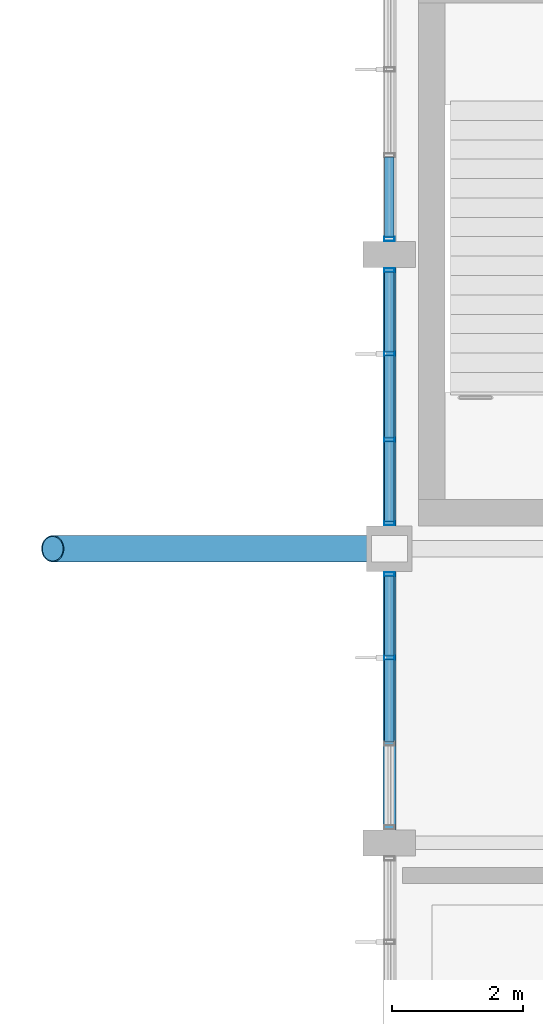
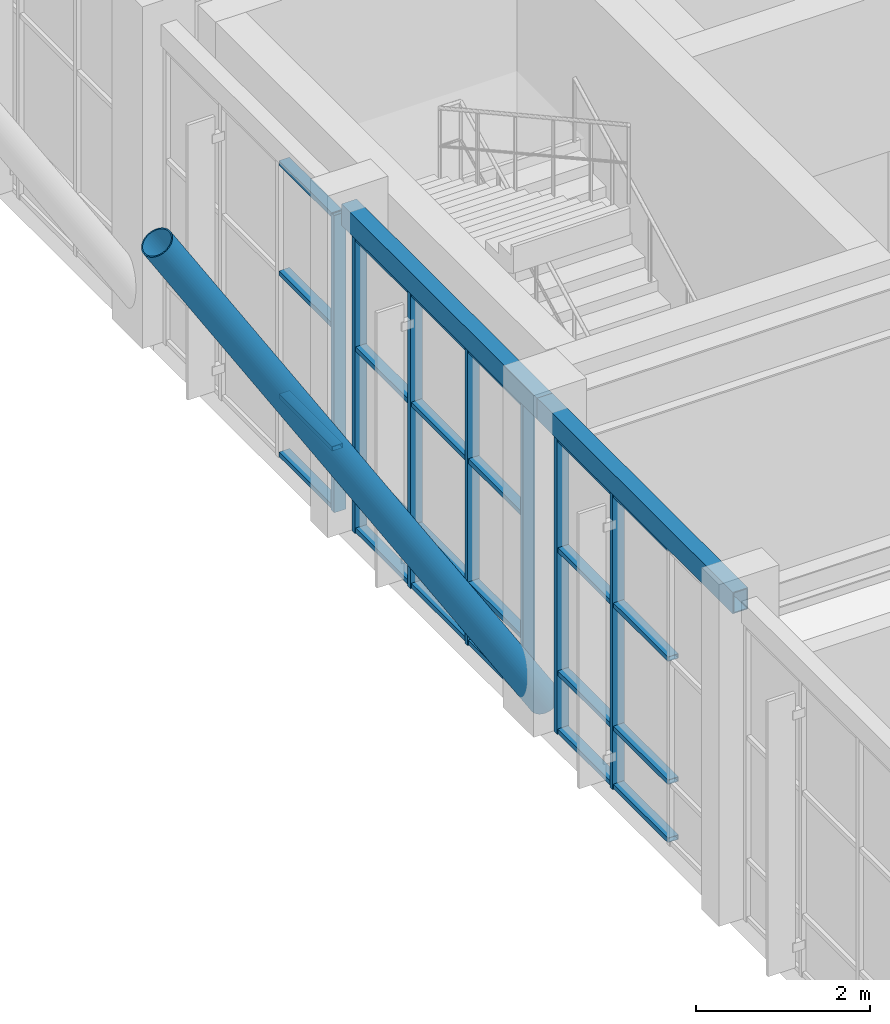
# One storey, part 23 of 104: 32 members, 2 beams, 3 elements without a shape of their own.
"""IFC4 building model written with IfcOpenShell, lengths in metres."""

from ifc_helpers import new_model, si_unit, direction, frame, origin, origin_2d, place, context, subcontext, project, spatial, hollow_rectangle, hollow_circle, extrude, material, layer, layer_set, material_profile, profile_set, type_object, element, aggregate, save


model = new_model("IFC4")

# Units and contexts
model_context = context("Model", 3, precision=1e-05, world=origin(), true_north=direction((0.0, 1.0)))
body_context = subcontext(model_context, "Body", "Model", "MODEL_VIEW")
ifc_project = project(units=[si_unit("LENGTHUNIT", "METRE"), si_unit("AREAUNIT", "SQUARE_METRE"), si_unit("VOLUMEUNIT", "CUBIC_METRE"), si_unit("PLANEANGLEUNIT", "RADIAN"), si_unit("MASSUNIT", "GRAM", prefix="KILO")], contexts=[model_context])

# Site, building, storey
site_placement = place(None, origin())
site = spatial("IfcSite", under=ifc_project, at=site_placement, CompositionType="ELEMENT")
building_placement = place(site_placement, origin())
building = spatial("IfcBuilding", under=site, at=building_placement, Name="Ventoquebrada Cableway Terminal", CompositionType="ELEMENT")
storey_placement = place(building_placement, frame((0.0, 0.0, 4.800048828125)))
storey = spatial("IfcBuildingStorey", under=building, at=storey_placement, Name="L01", CompositionType="ELEMENT", Elevation=4.800048828125)

# Curtain wall, members
ifc_material_1 = material(Name="Anodized thermally-broken aluminium", Category="aluminium")
ifc_layer = layer(ifc_material_1, 0.159912109375)
ifc_layer_set = layer_set([ifc_layer], Name="Anodized thermally-broken aluminium")
curtain_wall_type = type_object("IfcCurtainWallType", Name="CW-T17", PredefinedType="USERDEFINED", material=ifc_layer_set)
curtain_wall_1_placement = place(storey_placement, origin())
curtain_wall_1 = element("IfcCurtainWall", 1, at=curtain_wall_1_placement, inside=storey, type_object=curtain_wall_type, Name="Unitised glazed curtain wall CW-034", ObjectType="UNITISED CURTAIN WALL", PredefinedType="USERDEFINED")
ifc_material_profile_1 = material_profile(ifc_material_1, hollow_rectangle(XDim=0.06494140625, YDim=0.159912109375, WallThickness=0.00390625, at=origin_2d()), Name="CW-MUL-65X160")
ifc_profile_set_1 = profile_set([ifc_material_profile_1], Name="Anodized thermally-broken aluminium")
member_type_1 = type_object("IfcMemberType", Name="CWM-01", PredefinedType="MULLION", material=ifc_profile_set_1)
member_1_placement = place(storey_placement, frame((8.199951171875, 76.610107421875, -0.008056640625), z_axis=(0.0, 0.0, 1.0), x_axis=(0.0, -1.0, 0.0)))
member_1 = element("IfcMember", 2, at=member_1_placement, type_object=member_type_1, Name="Curtain wall mullion FML-0154", PredefinedType="MULLION", context=body_context, shape_type="SweptSolid", body=[
    extrude(hollow_rectangle(XDim=0.06494140625, YDim=0.159912109375, WallThickness=0.00390625, at=origin_2d()), origin(), (0.0, 0.0, 1.0), 4.173095703125),
])
member_2_placement = place(storey_placement, frame((8.199951171875, 75.33203125, -0.008056640625), z_axis=(0.0, 0.0, 1.0), x_axis=(0.0, -1.0, 0.0)))
member_2 = element("IfcMember", 3, at=member_2_placement, type_object=member_type_1, Name="Curtain wall mullion FML-0155", PredefinedType="MULLION", context=body_context, shape_type="SweptSolid", body=[
    extrude(hollow_rectangle(XDim=0.06494140625, YDim=0.159912109375, WallThickness=0.00390625, at=origin_2d()), origin(), (0.0, 0.0, 1.0), 4.173095703125),
])

# Curtain wall, member
curtain_wall_2_placement = place(storey_placement, origin())
curtain_wall_2 = element("IfcCurtainWall", 4, at=curtain_wall_2_placement, inside=storey, type_object=curtain_wall_type, Name="Unitised glazed curtain wall CW-036", ObjectType="UNITISED CURTAIN WALL", PredefinedType="USERDEFINED")
member_3_placement = place(storey_placement, frame((8.199951171875, 81.739990234375, -0.008056640625), z_axis=(0.0, 0.0, 1.0), x_axis=(0.0, -1.0, 0.0)))
member_3 = element("IfcMember", 5, at=member_3_placement, type_object=member_type_1, Name="Curtain wall mullion FML-0165", PredefinedType="MULLION", context=body_context, shape_type="SweptSolid", body=[
    extrude(hollow_rectangle(XDim=0.06494140625, YDim=0.159912109375, WallThickness=0.00390625, at=origin_2d()), origin(), (0.0, 0.0, 1.0), 4.173095703125),
])

# Curtain wall, members
curtain_wall_3_placement = place(storey_placement, origin())
curtain_wall_3 = element("IfcCurtainWall", 6, at=curtain_wall_3_placement, inside=storey, type_object=curtain_wall_type, Name="Unitised glazed curtain wall CW-037", ObjectType="UNITISED CURTAIN WALL", PredefinedType="USERDEFINED")
member_4_placement = place(storey_placement, frame((8.199951171875, 81.260009765625, -0.008056640625), z_axis=(0.0, 0.0, 1.0), x_axis=(0.0, -1.0, 0.0)))
member_4 = element("IfcMember", 7, at=member_4_placement, type_object=member_type_1, Name="Curtain wall mullion FML-0166", PredefinedType="MULLION", context=body_context, shape_type="SweptSolid", body=[
    extrude(hollow_rectangle(XDim=0.06494140625, YDim=0.159912109375, WallThickness=0.00390625, at=origin_2d()), origin(), (0.0, 0.0, 1.0), 4.173095703125),
])
member_5_placement = place(storey_placement, frame((8.199951171875, 79.98193359375, -0.008056640625), z_axis=(0.0, 0.0, 1.0), x_axis=(0.0, -1.0, 0.0)))
member_5 = element("IfcMember", 8, at=member_5_placement, type_object=member_type_1, Name="Curtain wall mullion FML-0167", PredefinedType="MULLION", context=body_context, shape_type="SweptSolid", body=[
    extrude(hollow_rectangle(XDim=0.06494140625, YDim=0.159912109375, WallThickness=0.00390625, at=origin_2d()), origin(), (0.0, 0.0, 1.0), 4.173095703125),
])
member_6_placement = place(storey_placement, frame((8.199951171875, 78.66796875, -0.008056640625), z_axis=(0.0, 0.0, 1.0), x_axis=(0.0, -1.0, 0.0)))
member_6 = element("IfcMember", 9, at=member_6_placement, type_object=member_type_1, Name="Curtain wall mullion FML-0168", PredefinedType="MULLION", context=body_context, shape_type="SweptSolid", body=[
    extrude(hollow_rectangle(XDim=0.06494140625, YDim=0.159912109375, WallThickness=0.00390625, at=origin_2d()), origin(), (0.0, 0.0, 1.0), 4.173095703125),
])
member_7_placement = place(storey_placement, frame((8.199951171875, 77.389892578125, -0.008056640625), z_axis=(0.0, 0.0, 1.0), x_axis=(0.0, -1.0, 0.0)))
member_7 = element("IfcMember", 10, at=member_7_placement, type_object=member_type_1, Name="Curtain wall mullion FML-0169", PredefinedType="MULLION", context=body_context, shape_type="SweptSolid", body=[
    extrude(hollow_rectangle(XDim=0.06494140625, YDim=0.159912109375, WallThickness=0.00390625, at=origin_2d()), origin(), (0.0, 0.0, 1.0), 4.173095703125),
])

# Member
ifc_material_profile_2 = material_profile(ifc_material_1, hollow_rectangle(XDim=0.06494140625, YDim=0.139892578125, WallThickness=0.00390625, at=origin_2d()), Name="CW-TRN-65X140")
ifc_profile_set_2 = profile_set([ifc_material_profile_2], Name="Anodized thermally-broken aluminium")
member_type_2 = type_object("IfcMemberType", Name="CWT-01", PredefinedType="USERDEFINED", material=ifc_profile_set_2)
member_8_placement = place(storey_placement, frame((8.199951171875, 76.58203125, 0.034912109375), z_axis=(0.0, -1.0, 0.0), x_axis=(0.0, 0.0, 1.0)))
member_8 = element("IfcMember", 11, at=member_8_placement, type_object=member_type_2, Name="Curtain wall transom FTR-0459", ObjectType="TRANSOM", PredefinedType="USERDEFINED", context=body_context, shape_type="SweptSolid", body=[
    extrude(hollow_rectangle(XDim=0.06494140625, YDim=0.139892578125, WallThickness=0.00390625, at=origin_2d()), origin(), (0.0, 0.0, 1.0), 1.22314453125),
])

member_9_placement = place(storey_placement, frame((8.199951171875, 76.58203125, 0.849853515625), z_axis=(0.0, -1.0, 0.0), x_axis=(0.0, 0.0, 1.0)))
member_9 = element("IfcMember", 12, at=member_9_placement, type_object=member_type_2, Name="Curtain wall transom FTR-0460", ObjectType="TRANSOM", PredefinedType="USERDEFINED", context=body_context, shape_type="SweptSolid", body=[
    extrude(hollow_rectangle(XDim=0.06494140625, YDim=0.139892578125, WallThickness=0.00390625, at=origin_2d()), origin(), (0.0, 0.0, 1.0), 1.22314453125),
])

member_10_placement = place(storey_placement, frame((8.199951171875, 76.58203125, 2.578857421875), z_axis=(0.0, -1.0, 0.0), x_axis=(0.0, 0.0, 1.0)))
member_10 = element("IfcMember", 13, at=member_10_placement, type_object=member_type_2, Name="Curtain wall transom FTR-0461", ObjectType="TRANSOM", PredefinedType="USERDEFINED", context=body_context, shape_type="SweptSolid", body=[
    extrude(hollow_rectangle(XDim=0.06494140625, YDim=0.139892578125, WallThickness=0.00390625, at=origin_2d()), origin(), (0.0, 0.0, 1.0), 1.22314453125),
])

member_11_placement = place(storey_placement, frame((8.199951171875, 76.58203125, 4.125), z_axis=(0.0, -1.0, 0.0), x_axis=(0.0, 0.0, 1.0)))
member_11 = element("IfcMember", 14, at=member_11_placement, type_object=member_type_2, Name="Curtain wall transom FTR-0462", ObjectType="TRANSOM", PredefinedType="USERDEFINED", context=body_context, shape_type="SweptSolid", body=[
    extrude(hollow_rectangle(XDim=0.06494140625, YDim=0.139892578125, WallThickness=0.00390625, at=origin_2d()), origin(), (0.0, 0.0, 1.0), 1.22314453125),
])

member_12_placement = place(storey_placement, frame((8.199951171875, 75.303955078125, 0.034912109375), z_axis=(0.0, -1.0, 0.0), x_axis=(0.0, 0.0, 1.0)))
member_12 = element("IfcMember", 15, at=member_12_placement, type_object=member_type_2, Name="Curtain wall transom FTR-0463", ObjectType="TRANSOM", PredefinedType="USERDEFINED", context=body_context, shape_type="SweptSolid", body=[
    extrude(hollow_rectangle(XDim=0.06494140625, YDim=0.139892578125, WallThickness=0.00390625, at=origin_2d()), origin(), (0.0, 0.0, 1.0), 1.258056640625),
])

member_13_placement = place(storey_placement, frame((8.199951171875, 75.303955078125, 0.849853515625), z_axis=(0.0, -1.0, 0.0), x_axis=(0.0, 0.0, 1.0)))
member_13 = element("IfcMember", 16, at=member_13_placement, type_object=member_type_2, Name="Curtain wall transom FTR-0464", ObjectType="TRANSOM", PredefinedType="USERDEFINED", context=body_context, shape_type="SweptSolid", body=[
    extrude(hollow_rectangle(XDim=0.06494140625, YDim=0.139892578125, WallThickness=0.00390625, at=origin_2d()), origin(), (0.0, 0.0, 1.0), 1.258056640625),
])

member_14_placement = place(storey_placement, frame((8.199951171875, 75.303955078125, 2.578857421875), z_axis=(0.0, -1.0, 0.0), x_axis=(0.0, 0.0, 1.0)))
member_14 = element("IfcMember", 17, at=member_14_placement, type_object=member_type_2, Name="Curtain wall transom FTR-0465", ObjectType="TRANSOM", PredefinedType="USERDEFINED", context=body_context, shape_type="SweptSolid", body=[
    extrude(hollow_rectangle(XDim=0.06494140625, YDim=0.139892578125, WallThickness=0.00390625, at=origin_2d()), origin(), (0.0, 0.0, 1.0), 1.258056640625),
])

member_15_placement = place(storey_placement, frame((8.199951171875, 75.303955078125, 4.125), z_axis=(0.0, -1.0, 0.0), x_axis=(0.0, 0.0, 1.0)))
member_15 = element("IfcMember", 18, at=member_15_placement, type_object=member_type_2, Name="Curtain wall transom FTR-0466", ObjectType="TRANSOM", PredefinedType="USERDEFINED", context=body_context, shape_type="SweptSolid", body=[
    extrude(hollow_rectangle(XDim=0.06494140625, YDim=0.139892578125, WallThickness=0.00390625, at=origin_2d()), origin(), (0.0, 0.0, 1.0), 1.258056640625),
])

aggregate(curtain_wall_1, [member_1, member_2, member_8, member_9, member_10, member_11, member_12, member_13, member_14, member_15])

member_16_placement = place(storey_placement, frame((8.199951171875, 82.990966796875, 0.034912109375), z_axis=(0.0, -1.0, 0.0), x_axis=(0.0, 0.0, 1.0)))
member_16 = element("IfcMember", 19, at=member_16_placement, type_object=member_type_2, Name="Curtain wall transom FTR-0491", ObjectType="TRANSOM", PredefinedType="USERDEFINED", context=body_context, shape_type="SweptSolid", body=[
    extrude(hollow_rectangle(XDim=0.06494140625, YDim=0.139892578125, WallThickness=0.00390625, at=origin_2d()), origin(), (0.0, 0.0, 1.0), 1.223876953125),
])

member_17_placement = place(storey_placement, frame((8.199951171875, 82.990966796875, 0.849853515625), z_axis=(0.0, -1.0, 0.0), x_axis=(0.0, 0.0, 1.0)))
member_17 = element("IfcMember", 20, at=member_17_placement, type_object=member_type_2, Name="Curtain wall transom FTR-0492", ObjectType="TRANSOM", PredefinedType="USERDEFINED", context=body_context, shape_type="SweptSolid", body=[
    extrude(hollow_rectangle(XDim=0.06494140625, YDim=0.139892578125, WallThickness=0.00390625, at=origin_2d()), origin(), (0.0, 0.0, 1.0), 1.223876953125),
])

member_18_placement = place(storey_placement, frame((8.199951171875, 82.990966796875, 2.578857421875), z_axis=(0.0, -1.0, 0.0), x_axis=(0.0, 0.0, 1.0)))
member_18 = element("IfcMember", 21, at=member_18_placement, type_object=member_type_2, Name="Curtain wall transom FTR-0493", ObjectType="TRANSOM", PredefinedType="USERDEFINED", context=body_context, shape_type="SweptSolid", body=[
    extrude(hollow_rectangle(XDim=0.06494140625, YDim=0.139892578125, WallThickness=0.00390625, at=origin_2d()), origin(), (0.0, 0.0, 1.0), 1.223876953125),
])

member_19_placement = place(storey_placement, frame((8.199951171875, 82.990966796875, 4.125), z_axis=(0.0, -1.0, 0.0), x_axis=(0.0, 0.0, 1.0)))
member_19 = element("IfcMember", 22, at=member_19_placement, type_object=member_type_2, Name="Curtain wall transom FTR-0494", ObjectType="TRANSOM", PredefinedType="USERDEFINED", context=body_context, shape_type="SweptSolid", body=[
    extrude(hollow_rectangle(XDim=0.06494140625, YDim=0.139892578125, WallThickness=0.00390625, at=origin_2d()), origin(), (0.0, 0.0, 1.0), 1.223876953125),
])

aggregate(curtain_wall_2, [member_3, member_16, member_17, member_18, member_19])

member_20_placement = place(storey_placement, frame((8.199951171875, 81.23291015625, 0.034912109375), z_axis=(0.0, -1.0, 0.0), x_axis=(0.0, 0.0, 1.0)))
member_20 = element("IfcMember", 23, at=member_20_placement, type_object=member_type_2, Name="Curtain wall transom FTR-0495", ObjectType="TRANSOM", PredefinedType="USERDEFINED", context=body_context, shape_type="SweptSolid", body=[
    extrude(hollow_rectangle(XDim=0.06494140625, YDim=0.139892578125, WallThickness=0.00390625, at=origin_2d()), origin(), (0.0, 0.0, 1.0), 1.223876953125),
])

member_21_placement = place(storey_placement, frame((8.199951171875, 81.23291015625, 0.849853515625), z_axis=(0.0, -1.0, 0.0), x_axis=(0.0, 0.0, 1.0)))
member_21 = element("IfcMember", 24, at=member_21_placement, type_object=member_type_2, Name="Curtain wall transom FTR-0496", ObjectType="TRANSOM", PredefinedType="USERDEFINED", context=body_context, shape_type="SweptSolid", body=[
    extrude(hollow_rectangle(XDim=0.06494140625, YDim=0.139892578125, WallThickness=0.00390625, at=origin_2d()), origin(), (0.0, 0.0, 1.0), 1.223876953125),
])

member_22_placement = place(storey_placement, frame((8.199951171875, 81.23291015625, 2.578857421875), z_axis=(0.0, -1.0, 0.0), x_axis=(0.0, 0.0, 1.0)))
member_22 = element("IfcMember", 25, at=member_22_placement, type_object=member_type_2, Name="Curtain wall transom FTR-0497", ObjectType="TRANSOM", PredefinedType="USERDEFINED", context=body_context, shape_type="SweptSolid", body=[
    extrude(hollow_rectangle(XDim=0.06494140625, YDim=0.139892578125, WallThickness=0.00390625, at=origin_2d()), origin(), (0.0, 0.0, 1.0), 1.223876953125),
])

member_23_placement = place(storey_placement, frame((8.199951171875, 81.23291015625, 4.125), z_axis=(0.0, -1.0, 0.0), x_axis=(0.0, 0.0, 1.0)))
member_23 = element("IfcMember", 26, at=member_23_placement, type_object=member_type_2, Name="Curtain wall transom FTR-0498", ObjectType="TRANSOM", PredefinedType="USERDEFINED", context=body_context, shape_type="SweptSolid", body=[
    extrude(hollow_rectangle(XDim=0.06494140625, YDim=0.139892578125, WallThickness=0.00390625, at=origin_2d()), origin(), (0.0, 0.0, 1.0), 1.223876953125),
])

member_24_placement = place(storey_placement, frame((8.199951171875, 79.9541015625, 0.034912109375), z_axis=(0.0, -1.0, 0.0), x_axis=(0.0, 0.0, 1.0)))
member_24 = element("IfcMember", 27, at=member_24_placement, type_object=member_type_2, Name="Curtain wall transom FTR-0499", ObjectType="TRANSOM", PredefinedType="USERDEFINED", context=body_context, shape_type="SweptSolid", body=[
    extrude(hollow_rectangle(XDim=0.06494140625, YDim=0.139892578125, WallThickness=0.00390625, at=origin_2d()), origin(), (0.0, 0.0, 1.0), 1.258056640625),
])

member_25_placement = place(storey_placement, frame((8.199951171875, 79.9541015625, 0.849853515625), z_axis=(0.0, -1.0, 0.0), x_axis=(0.0, 0.0, 1.0)))
member_25 = element("IfcMember", 28, at=member_25_placement, type_object=member_type_2, Name="Curtain wall transom FTR-0500", ObjectType="TRANSOM", PredefinedType="USERDEFINED", context=body_context, shape_type="SweptSolid", body=[
    extrude(hollow_rectangle(XDim=0.06494140625, YDim=0.139892578125, WallThickness=0.00390625, at=origin_2d()), origin(), (0.0, 0.0, 1.0), 1.258056640625),
])

member_26_placement = place(storey_placement, frame((8.199951171875, 79.9541015625, 2.578857421875), z_axis=(0.0, -1.0, 0.0), x_axis=(0.0, 0.0, 1.0)))
member_26 = element("IfcMember", 29, at=member_26_placement, type_object=member_type_2, Name="Curtain wall transom FTR-0501", ObjectType="TRANSOM", PredefinedType="USERDEFINED", context=body_context, shape_type="SweptSolid", body=[
    extrude(hollow_rectangle(XDim=0.06494140625, YDim=0.139892578125, WallThickness=0.00390625, at=origin_2d()), origin(), (0.0, 0.0, 1.0), 1.258056640625),
])

member_27_placement = place(storey_placement, frame((8.199951171875, 79.9541015625, 4.125), z_axis=(0.0, -1.0, 0.0), x_axis=(0.0, 0.0, 1.0)))
member_27 = element("IfcMember", 30, at=member_27_placement, type_object=member_type_2, Name="Curtain wall transom FTR-0502", ObjectType="TRANSOM", PredefinedType="USERDEFINED", context=body_context, shape_type="SweptSolid", body=[
    extrude(hollow_rectangle(XDim=0.06494140625, YDim=0.139892578125, WallThickness=0.00390625, at=origin_2d()), origin(), (0.0, 0.0, 1.0), 1.258056640625),
])

member_28_placement = place(storey_placement, frame((8.199951171875, 78.64111328125, 0.034912109375), z_axis=(0.0, -1.0, 0.0), x_axis=(0.0, 0.0, 1.0)))
member_28 = element("IfcMember", 31, at=member_28_placement, type_object=member_type_2, Name="Curtain wall transom FTR-0503", ObjectType="TRANSOM", PredefinedType="USERDEFINED", context=body_context, shape_type="SweptSolid", body=[
    extrude(hollow_rectangle(XDim=0.06494140625, YDim=0.139892578125, WallThickness=0.00390625, at=origin_2d()), origin(), (0.0, 0.0, 1.0), 1.22314453125),
])

member_29_placement = place(storey_placement, frame((8.199951171875, 78.64111328125, 0.849853515625), z_axis=(0.0, -1.0, 0.0), x_axis=(0.0, 0.0, 1.0)))
member_29 = element("IfcMember", 32, at=member_29_placement, type_object=member_type_2, Name="Curtain wall transom FTR-0504", ObjectType="TRANSOM", PredefinedType="USERDEFINED", context=body_context, shape_type="SweptSolid", body=[
    extrude(hollow_rectangle(XDim=0.06494140625, YDim=0.139892578125, WallThickness=0.00390625, at=origin_2d()), origin(), (0.0, 0.0, 1.0), 1.22314453125),
])

member_30_placement = place(storey_placement, frame((8.199951171875, 78.64111328125, 2.578857421875), z_axis=(0.0, -1.0, 0.0), x_axis=(0.0, 0.0, 1.0)))
member_30 = element("IfcMember", 33, at=member_30_placement, type_object=member_type_2, Name="Curtain wall transom FTR-0505", ObjectType="TRANSOM", PredefinedType="USERDEFINED", context=body_context, shape_type="SweptSolid", body=[
    extrude(hollow_rectangle(XDim=0.06494140625, YDim=0.139892578125, WallThickness=0.00390625, at=origin_2d()), origin(), (0.0, 0.0, 1.0), 1.22314453125),
])

member_31_placement = place(storey_placement, frame((8.199951171875, 78.64111328125, 4.125), z_axis=(0.0, -1.0, 0.0), x_axis=(0.0, 0.0, 1.0)))
member_31 = element("IfcMember", 34, at=member_31_placement, type_object=member_type_2, Name="Curtain wall transom FTR-0506", ObjectType="TRANSOM", PredefinedType="USERDEFINED", context=body_context, shape_type="SweptSolid", body=[
    extrude(hollow_rectangle(XDim=0.06494140625, YDim=0.139892578125, WallThickness=0.00390625, at=origin_2d()), origin(), (0.0, 0.0, 1.0), 1.22314453125),
])

aggregate(curtain_wall_3, [member_4, member_5, member_6, member_7, member_20, member_21, member_22, member_23, member_24, member_25, member_26, member_27, member_28, member_29, member_30, member_31])

# Beams
ifc_material_2 = material(Name="Steel ASTM A500 Grade C", Category="steel")
ifc_material_profile_3 = material_profile(ifc_material_2, hollow_rectangle(XDim=0.199951171875, YDim=0.300048828125, WallThickness=0.012451171875, at=origin_2d()), Name="RHS300X200X12.5")
ifc_profile_set_3 = profile_set([ifc_material_profile_3], Name="Steel ASTM A500 Grade C")
beam_type = type_object("IfcBeamType", Name="SP-ST02", PredefinedType="SPANDREL", material=ifc_profile_set_3)
for number, where, z_axis, x_axis, name in (
    (35, (8.199951171875, 72.5, 4.31494140625), (0.0, 1.0, 0.0), (-1.0, 0.0, 0.0), "Perimeter spandrel beam FBM-0406"),
    (36, (8.199951171875, 77.0, 4.31494140625), (0.0, 1.0, 0.0), (-1.0, 0.0, 0.0), "Perimeter spandrel beam FBM-0407"),
):
    element("IfcBeam", number, at=place(storey_placement, frame(where, z_axis=z_axis, x_axis=x_axis)), inside=storey, type_object=beam_type, Name=name, PredefinedType="SPANDREL", context=body_context, shape_type="SweptSolid", body=[
        extrude(hollow_rectangle(XDim=0.199951171875, YDim=0.300048828125, WallThickness=0.012451171875, at=origin_2d()), origin(), (0.0, 0.0, 1.0), 4.5),
    ])

# Member
ifc_material_profile_4 = material_profile(ifc_material_2, hollow_circle(Radius=0.203125, WallThickness=0.01611328125, at=origin_2d()), Name="CHS406.4X16")
ifc_profile_set_4 = profile_set([ifc_material_profile_4], Name="Steel ASTM A500 Grade C")
member_type_3 = type_object("IfcMemberType", Name="STR-RK01", PredefinedType="STRUT", material=ifc_profile_set_4)
member_32_placement = place(storey_placement, frame((8.199951171875, 77.0, 0.199951171875), z_axis=(-0.530964723837, 0.0, 0.847393923769), x_axis=(0.0, -1.0, 0.0)))
element("IfcMember", 37, at=member_32_placement, inside=storey, type_object=member_type_3, Name="Cantilever steel raker strut RK-01", PredefinedType="STRUT", context=body_context, shape_type="SweptSolid", body=[
    extrude(hollow_circle(Radius=0.203125, WallThickness=0.01611328125, at=origin_2d()), origin(), (0.0, 0.0, 1.0), 9.69921875),
])

save(model, "model.ifc")
